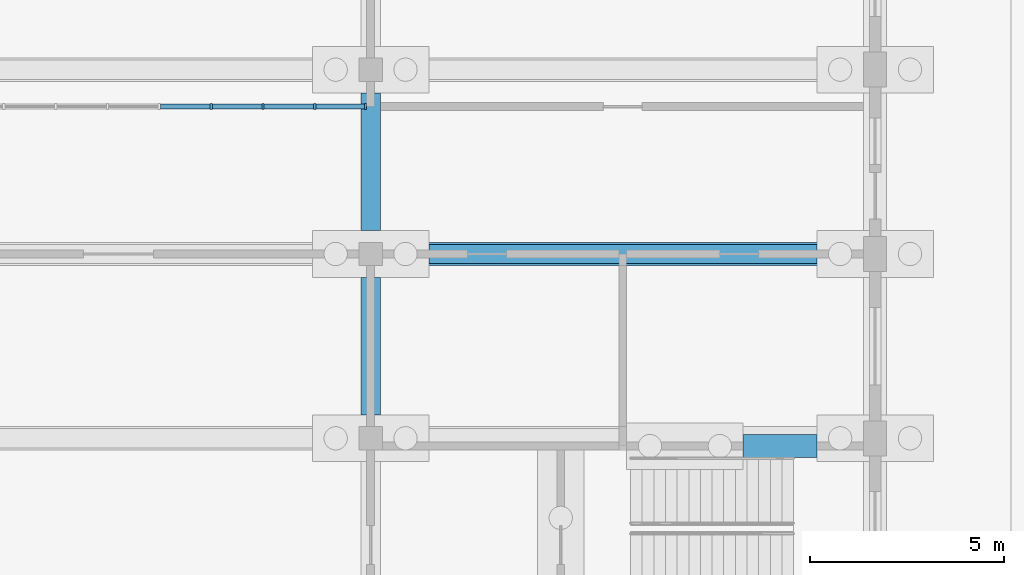
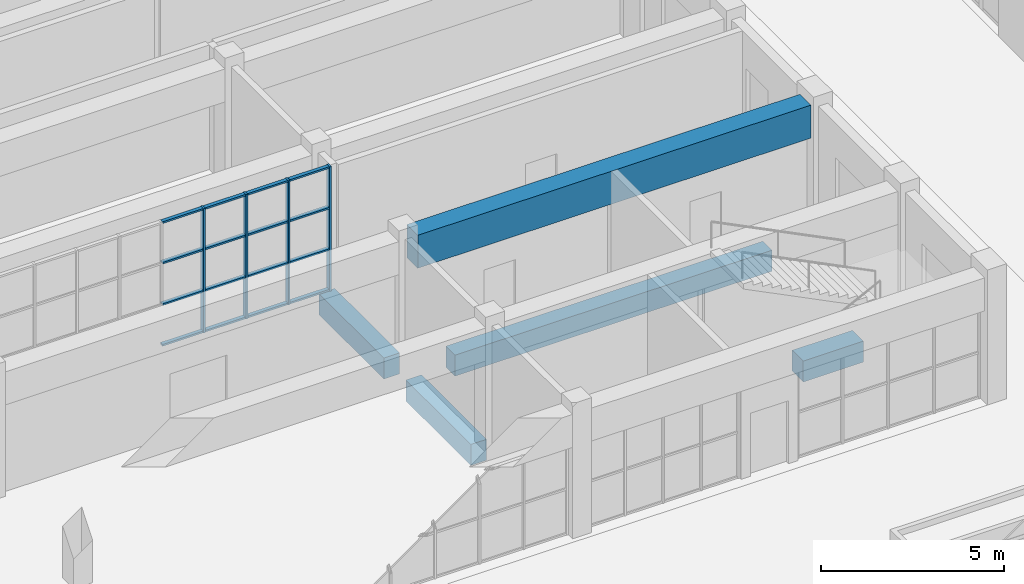
# One storey, part 19 of 161: 20 members, 5 beams, 1 element without a shape of its own.
"""IFC4 building model written with IfcOpenShell, lengths in metres."""

from ifc_helpers import new_model, si_unit, direction, frame, origin, origin_2d, place, context, subcontext, project, spatial, rectangle, extrude, material, material_profile, profile_set, type_object, element, aggregate, save


model = new_model("IFC4")

# Units and contexts
model_context = context("Model", 3, precision=1e-05, world=origin(), true_north=direction((0.0, 1.0)))
body_context = subcontext(model_context, "Body", "Model", "MODEL_VIEW")
ifc_project = project(units=[si_unit("LENGTHUNIT", "METRE"), si_unit("AREAUNIT", "SQUARE_METRE"), si_unit("VOLUMEUNIT", "CUBIC_METRE"), si_unit("PLANEANGLEUNIT", "RADIAN"), si_unit("MASSUNIT", "GRAM", prefix="KILO")], contexts=[model_context])

# Site, building, storey
site_placement = place(None, origin())
site = spatial("IfcSite", under=ifc_project, at=site_placement, CompositionType="ELEMENT")
building_placement = place(site_placement, origin())
building = spatial("IfcBuilding", under=site, at=building_placement, Name="Elbe Cascade School", CompositionType="ELEMENT")
storey_placement = place(building_placement, origin())
storey = spatial("IfcBuildingStorey", under=building, at=storey_placement, Name="L00", CompositionType="ELEMENT", Elevation=0.0)

# Beams
ifc_material_1 = material(Name="Concrete C30/37", Category="concrete")
ifc_material_profile_1 = material_profile(ifc_material_1, rectangle(XDim=0.5, YDim=0.699951171875, at=origin_2d()), Name="RC 500x700")
ifc_profile_set_1 = profile_set([ifc_material_profile_1], Name="Concrete C30/37")
beam_type_1 = type_object("IfcBeamType", Name="Found ground beam RC 500x700", PredefinedType="BEAM", material=ifc_profile_set_1)
beam_1_placement = place(storey_placement, frame((48.5, 50.5, -0.64990234375), z_axis=(1.0, 0.0, 0.0), x_axis=(0.0, 1.0, 0.0)))
element("IfcBeam", 1, at=beam_1_placement, inside=storey, type_object=beam_type_1, Name="Ground beam 338", PredefinedType="BEAM", context=body_context, shape_type="SweptSolid", body=[
    extrude(rectangle(XDim=0.5, YDim=0.699951171875, at=origin_2d()), origin(), (0.0, 0.0, 1.0), 10.0),
])
for number, where, z_axis, x_axis, name in (
    (2, (47.0, 46.35009765625, -0.64990234375), (0.0, 1.0, 0.0), (-1.0, 0.0, 0.0), "Ground beam 368"),
    (3, (47.0, 51.10009765625, -0.64990234375), (0.0, 1.0, 0.0), (-1.0, 0.0, 0.0), "Ground beam 369"),
):
    element("IfcBeam", number, at=place(storey_placement, frame(where, z_axis=z_axis, x_axis=x_axis)), inside=storey, type_object=beam_type_1, Name=name, PredefinedType="BEAM", context=body_context, shape_type="SweptSolid", body=[
        extrude(rectangle(XDim=0.5, YDim=0.699951171875, at=origin_2d()), origin(), (0.0, 0.0, 1.0), 3.5498046875),
    ])
ifc_material_2 = material(Name="Concrete C30/37", Category="concrete")
ifc_material_profile_2 = material_profile(ifc_material_2, rectangle(XDim=0.60009765625, YDim=0.699951171875, at=origin_2d()), Name="RC 600x700")
ifc_profile_set_2 = profile_set([ifc_material_profile_2], Name="Concrete C30/37")
beam_type_2 = type_object("IfcBeamType", Name="Found ground beam RC 600x700", PredefinedType="BEAM", material=ifc_profile_set_2)
beam_2_placement = place(storey_placement, frame((56.60009765625, 45.550048828125, -0.64990234375), z_axis=(1.0, 0.0, 0.0), x_axis=(0.0, 1.0, 0.0)))
element("IfcBeam", 4, at=beam_2_placement, inside=storey, type_object=beam_type_2, Name="Ground beam 160", PredefinedType="BEAM", context=body_context, shape_type="SweptSolid", body=[
    extrude(rectangle(XDim=0.60009765625, YDim=0.699951171875, at=origin_2d()), origin(), (0.0, 0.0, 1.0), 1.89990234375),
])
ifc_material_3 = material(Name="Concrete C35/45", Category="concrete")
ifc_material_profile_3 = material_profile(ifc_material_3, rectangle(XDim=0.60009765625, YDim=1.10009765625, at=origin_2d()), Name="RC 600x1100")
ifc_profile_set_3 = profile_set([ifc_material_profile_3], Name="Concrete C35/45")
beam_type_3 = type_object("IfcBeamType", Name="Hall floor beam RC 600x1100", PredefinedType="BEAM", material=ifc_profile_set_3)
beam_3_placement = place(storey_placement, frame((47.300048828125, 50.5, 3.60009765625), z_axis=(1.0, 0.0, 0.0), x_axis=(0.0, 1.0, 0.0)))
element("IfcBeam", 5, at=beam_3_placement, inside=storey, type_object=beam_type_3, Name="Hall floor beam RC 600x1100 B13", PredefinedType="BEAM", context=body_context, shape_type="SweptSolid", body=[
    extrude(rectangle(XDim=0.60009765625, YDim=1.10009765625, at=origin_2d()), origin(), (0.0, 0.0, 1.0), 12.39990234375),
])

# Curtain wall, members
ifc_material_4 = material(Name="Glass - double glazed low-E", Category="glass")
curtain_wall_type = type_object("IfcCurtainWallType", Name="Hall gable curtain wall", PredefinedType="NOTDEFINED", material=ifc_material_4)
curtain_wall_placement = place(storey_placement, origin())
curtain_wall = element("IfcCurtainWall", 6, at=curtain_wall_placement, inside=storey, type_object=curtain_wall_type, Name="Studio front curtain wall 2", PredefinedType="NOTDEFINED")
ifc_material_5 = material(Name="Aluminium - bronze anodised", Category="aluminium")
ifc_material_profile_4 = material_profile(ifc_material_5, rectangle(XDim=0.159912109375, YDim=0.06005859375, at=origin_2d()), Name="Alu 60x160")
ifc_profile_set_4 = profile_set([ifc_material_profile_4], Name="Aluminium - bronze anodised")
member_type_1 = type_object("IfcMemberType", Name="Hall gable mullion 60x160", PredefinedType="MULLION", material=ifc_profile_set_4)
member_1_placement = place(storey_placement, frame((42.892822265625, 54.300048828125, 0.0), z_axis=(0.0, 0.0, 1.0), x_axis=(0.0, 1.0, 0.0)))
member_1 = element("IfcMember", 7, at=member_1_placement, type_object=member_type_1, Name="CW6 mullion 12", PredefinedType="MULLION", context=body_context, shape_type="SweptSolid", body=[
    extrude(rectangle(XDim=0.159912109375, YDim=0.06005859375, at=origin_2d()), origin(), (0.0, 0.0, 1.0), 4.14990234375),
])
member_2_placement = place(storey_placement, frame((44.228515625, 54.300048828125, 0.0), z_axis=(0.0, 0.0, 1.0), x_axis=(0.0, 1.0, 0.0)))
member_2 = element("IfcMember", 8, at=member_2_placement, type_object=member_type_1, Name="CW6 mullion 13", PredefinedType="MULLION", context=body_context, shape_type="SweptSolid", body=[
    extrude(rectangle(XDim=0.159912109375, YDim=0.06005859375, at=origin_2d()), origin(), (0.0, 0.0, 1.0), 4.14990234375),
])
member_3_placement = place(storey_placement, frame((45.564208984375, 54.300048828125, 0.0), z_axis=(0.0, 0.0, 1.0), x_axis=(0.0, 1.0, 0.0)))
member_3 = element("IfcMember", 9, at=member_3_placement, type_object=member_type_1, Name="CW6 mullion 14", PredefinedType="MULLION", context=body_context, shape_type="SweptSolid", body=[
    extrude(rectangle(XDim=0.159912109375, YDim=0.06005859375, at=origin_2d()), origin(), (0.0, 0.0, 1.0), 4.14990234375),
])
member_4_placement = place(storey_placement, frame((46.8701171875, 54.300048828125, 0.0), z_axis=(0.0, 0.0, 1.0), x_axis=(0.0, 1.0, 0.0)))
member_4 = element("IfcMember", 10, at=member_4_placement, type_object=member_type_1, Name="CW6 mullion 15", PredefinedType="MULLION", context=body_context, shape_type="SweptSolid", body=[
    extrude(rectangle(XDim=0.159912109375, YDim=0.06005859375, at=origin_2d()), origin(), (0.0, 0.0, 1.0), 4.14990234375),
])
ifc_material_6 = material(Name="Aluminium - bronze anodised", Category="aluminium")
ifc_material_profile_5 = material_profile(ifc_material_6, rectangle(XDim=0.1201171875, YDim=0.06005859375, at=origin_2d()), Name="Alu 60x120")
ifc_profile_set_5 = profile_set([ifc_material_profile_5], Name="Aluminium - bronze anodised")
member_type_2 = type_object("IfcMemberType", Name="Hall gable transom 60x120", PredefinedType="USERDEFINED", material=ifc_profile_set_5)
member_5_placement = place(storey_placement, frame((41.587158203125, 54.300048828125, 0.030029296875), z_axis=(1.0, 0.0, 0.0), x_axis=(0.0, 1.0, 0.0)))
member_5 = element("IfcMember", 11, at=member_5_placement, type_object=member_type_2, Name="CW6 transom 11.1", ObjectType="TRANSOM", PredefinedType="USERDEFINED", context=body_context, shape_type="SweptSolid", body=[
    extrude(rectangle(XDim=0.1201171875, YDim=0.06005859375, at=origin_2d()), origin(), (0.0, 0.0, 1.0), 1.275634765625),
])
member_6_placement = place(storey_placement, frame((41.587158203125, 54.300048828125, 1.38330078125), z_axis=(1.0, 0.0, 0.0), x_axis=(0.0, 1.0, 0.0)))
member_6 = element("IfcMember", 12, at=member_6_placement, type_object=member_type_2, Name="CW6 transom 11.2", ObjectType="TRANSOM", PredefinedType="USERDEFINED", context=body_context, shape_type="SweptSolid", body=[
    extrude(rectangle(XDim=0.1201171875, YDim=0.06005859375, at=origin_2d()), origin(), (0.0, 0.0, 1.0), 1.275634765625),
])
member_7_placement = place(storey_placement, frame((41.587158203125, 54.300048828125, 2.7666015625), z_axis=(1.0, 0.0, 0.0), x_axis=(0.0, 1.0, 0.0)))
member_7 = element("IfcMember", 13, at=member_7_placement, type_object=member_type_2, Name="CW6 transom 11.3", ObjectType="TRANSOM", PredefinedType="USERDEFINED", context=body_context, shape_type="SweptSolid", body=[
    extrude(rectangle(XDim=0.1201171875, YDim=0.06005859375, at=origin_2d()), origin(), (0.0, 0.0, 1.0), 1.275634765625),
])
member_8_placement = place(storey_placement, frame((41.587158203125, 54.300048828125, 4.1201171875), z_axis=(1.0, 0.0, 0.0), x_axis=(0.0, 1.0, 0.0)))
member_8 = element("IfcMember", 14, at=member_8_placement, type_object=member_type_2, Name="CW6 transom 11.4", ObjectType="TRANSOM", PredefinedType="USERDEFINED", context=body_context, shape_type="SweptSolid", body=[
    extrude(rectangle(XDim=0.1201171875, YDim=0.06005859375, at=origin_2d()), origin(), (0.0, 0.0, 1.0), 1.275634765625),
])
member_9_placement = place(storey_placement, frame((42.9228515625, 54.300048828125, 0.030029296875), z_axis=(1.0, 0.0, 0.0), x_axis=(0.0, 1.0, 0.0)))
member_9 = element("IfcMember", 15, at=member_9_placement, type_object=member_type_2, Name="CW6 transom 12.1", ObjectType="TRANSOM", PredefinedType="USERDEFINED", context=body_context, shape_type="SweptSolid", body=[
    extrude(rectangle(XDim=0.1201171875, YDim=0.06005859375, at=origin_2d()), origin(), (0.0, 0.0, 1.0), 1.275634765625),
])
member_10_placement = place(storey_placement, frame((42.9228515625, 54.300048828125, 1.38330078125), z_axis=(1.0, 0.0, 0.0), x_axis=(0.0, 1.0, 0.0)))
member_10 = element("IfcMember", 16, at=member_10_placement, type_object=member_type_2, Name="CW6 transom 12.2", ObjectType="TRANSOM", PredefinedType="USERDEFINED", context=body_context, shape_type="SweptSolid", body=[
    extrude(rectangle(XDim=0.1201171875, YDim=0.06005859375, at=origin_2d()), origin(), (0.0, 0.0, 1.0), 1.275634765625),
])
member_11_placement = place(storey_placement, frame((42.9228515625, 54.300048828125, 2.7666015625), z_axis=(1.0, 0.0, 0.0), x_axis=(0.0, 1.0, 0.0)))
member_11 = element("IfcMember", 17, at=member_11_placement, type_object=member_type_2, Name="CW6 transom 12.3", ObjectType="TRANSOM", PredefinedType="USERDEFINED", context=body_context, shape_type="SweptSolid", body=[
    extrude(rectangle(XDim=0.1201171875, YDim=0.06005859375, at=origin_2d()), origin(), (0.0, 0.0, 1.0), 1.275634765625),
])
member_12_placement = place(storey_placement, frame((42.9228515625, 54.300048828125, 4.1201171875), z_axis=(1.0, 0.0, 0.0), x_axis=(0.0, 1.0, 0.0)))
member_12 = element("IfcMember", 18, at=member_12_placement, type_object=member_type_2, Name="CW6 transom 12.4", ObjectType="TRANSOM", PredefinedType="USERDEFINED", context=body_context, shape_type="SweptSolid", body=[
    extrude(rectangle(XDim=0.1201171875, YDim=0.06005859375, at=origin_2d()), origin(), (0.0, 0.0, 1.0), 1.275634765625),
])
member_13_placement = place(storey_placement, frame((44.258544921875, 54.300048828125, 0.030029296875), z_axis=(1.0, 0.0, 0.0), x_axis=(0.0, 1.0, 0.0)))
member_13 = element("IfcMember", 19, at=member_13_placement, type_object=member_type_2, Name="CW6 transom 13.1", ObjectType="TRANSOM", PredefinedType="USERDEFINED", context=body_context, shape_type="SweptSolid", body=[
    extrude(rectangle(XDim=0.1201171875, YDim=0.06005859375, at=origin_2d()), origin(), (0.0, 0.0, 1.0), 1.275634765625),
])
member_14_placement = place(storey_placement, frame((44.258544921875, 54.300048828125, 1.38330078125), z_axis=(1.0, 0.0, 0.0), x_axis=(0.0, 1.0, 0.0)))
member_14 = element("IfcMember", 20, at=member_14_placement, type_object=member_type_2, Name="CW6 transom 13.2", ObjectType="TRANSOM", PredefinedType="USERDEFINED", context=body_context, shape_type="SweptSolid", body=[
    extrude(rectangle(XDim=0.1201171875, YDim=0.06005859375, at=origin_2d()), origin(), (0.0, 0.0, 1.0), 1.275634765625),
])
member_15_placement = place(storey_placement, frame((44.258544921875, 54.300048828125, 2.7666015625), z_axis=(1.0, 0.0, 0.0), x_axis=(0.0, 1.0, 0.0)))
member_15 = element("IfcMember", 21, at=member_15_placement, type_object=member_type_2, Name="CW6 transom 13.3", ObjectType="TRANSOM", PredefinedType="USERDEFINED", context=body_context, shape_type="SweptSolid", body=[
    extrude(rectangle(XDim=0.1201171875, YDim=0.06005859375, at=origin_2d()), origin(), (0.0, 0.0, 1.0), 1.275634765625),
])
member_16_placement = place(storey_placement, frame((44.258544921875, 54.300048828125, 4.1201171875), z_axis=(1.0, 0.0, 0.0), x_axis=(0.0, 1.0, 0.0)))
member_16 = element("IfcMember", 22, at=member_16_placement, type_object=member_type_2, Name="CW6 transom 13.4", ObjectType="TRANSOM", PredefinedType="USERDEFINED", context=body_context, shape_type="SweptSolid", body=[
    extrude(rectangle(XDim=0.1201171875, YDim=0.06005859375, at=origin_2d()), origin(), (0.0, 0.0, 1.0), 1.275634765625),
])
member_17_placement = place(storey_placement, frame((45.59423828125, 54.300048828125, 0.030029296875), z_axis=(1.0, 0.0, 0.0), x_axis=(0.0, 1.0, 0.0)))
member_17 = element("IfcMember", 23, at=member_17_placement, type_object=member_type_2, Name="CW6 transom 14.1", ObjectType="TRANSOM", PredefinedType="USERDEFINED", context=body_context, shape_type="SweptSolid", body=[
    extrude(rectangle(XDim=0.1201171875, YDim=0.06005859375, at=origin_2d()), origin(), (0.0, 0.0, 1.0), 1.245849609375),
])
member_18_placement = place(storey_placement, frame((45.59423828125, 54.300048828125, 1.38330078125), z_axis=(1.0, 0.0, 0.0), x_axis=(0.0, 1.0, 0.0)))
member_18 = element("IfcMember", 24, at=member_18_placement, type_object=member_type_2, Name="CW6 transom 14.2", ObjectType="TRANSOM", PredefinedType="USERDEFINED", context=body_context, shape_type="SweptSolid", body=[
    extrude(rectangle(XDim=0.1201171875, YDim=0.06005859375, at=origin_2d()), origin(), (0.0, 0.0, 1.0), 1.245849609375),
])
member_19_placement = place(storey_placement, frame((45.59423828125, 54.300048828125, 2.7666015625), z_axis=(1.0, 0.0, 0.0), x_axis=(0.0, 1.0, 0.0)))
member_19 = element("IfcMember", 25, at=member_19_placement, type_object=member_type_2, Name="CW6 transom 14.3", ObjectType="TRANSOM", PredefinedType="USERDEFINED", context=body_context, shape_type="SweptSolid", body=[
    extrude(rectangle(XDim=0.1201171875, YDim=0.06005859375, at=origin_2d()), origin(), (0.0, 0.0, 1.0), 1.245849609375),
])
member_20_placement = place(storey_placement, frame((45.59423828125, 54.300048828125, 4.1201171875), z_axis=(1.0, 0.0, 0.0), x_axis=(0.0, 1.0, 0.0)))
member_20 = element("IfcMember", 26, at=member_20_placement, type_object=member_type_2, Name="CW6 transom 14.4", ObjectType="TRANSOM", PredefinedType="USERDEFINED", context=body_context, shape_type="SweptSolid", body=[
    extrude(rectangle(XDim=0.1201171875, YDim=0.06005859375, at=origin_2d()), origin(), (0.0, 0.0, 1.0), 1.245849609375),
])
aggregate(curtain_wall, [member_1, member_2, member_3, member_4, member_5, member_6, member_7, member_8, member_9, member_10, member_11, member_12, member_13, member_14, member_15, member_16, member_17, member_18, member_19, member_20])

save(model, "model.ifc")
